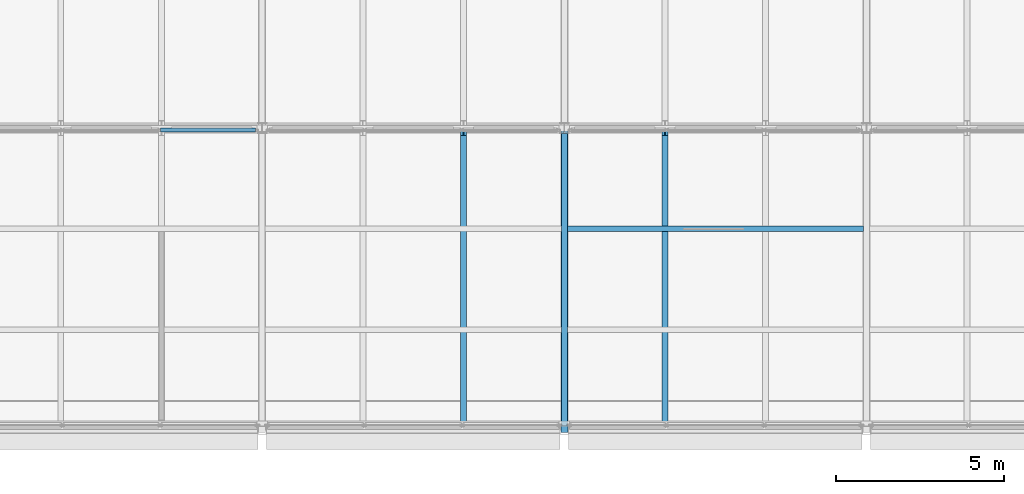
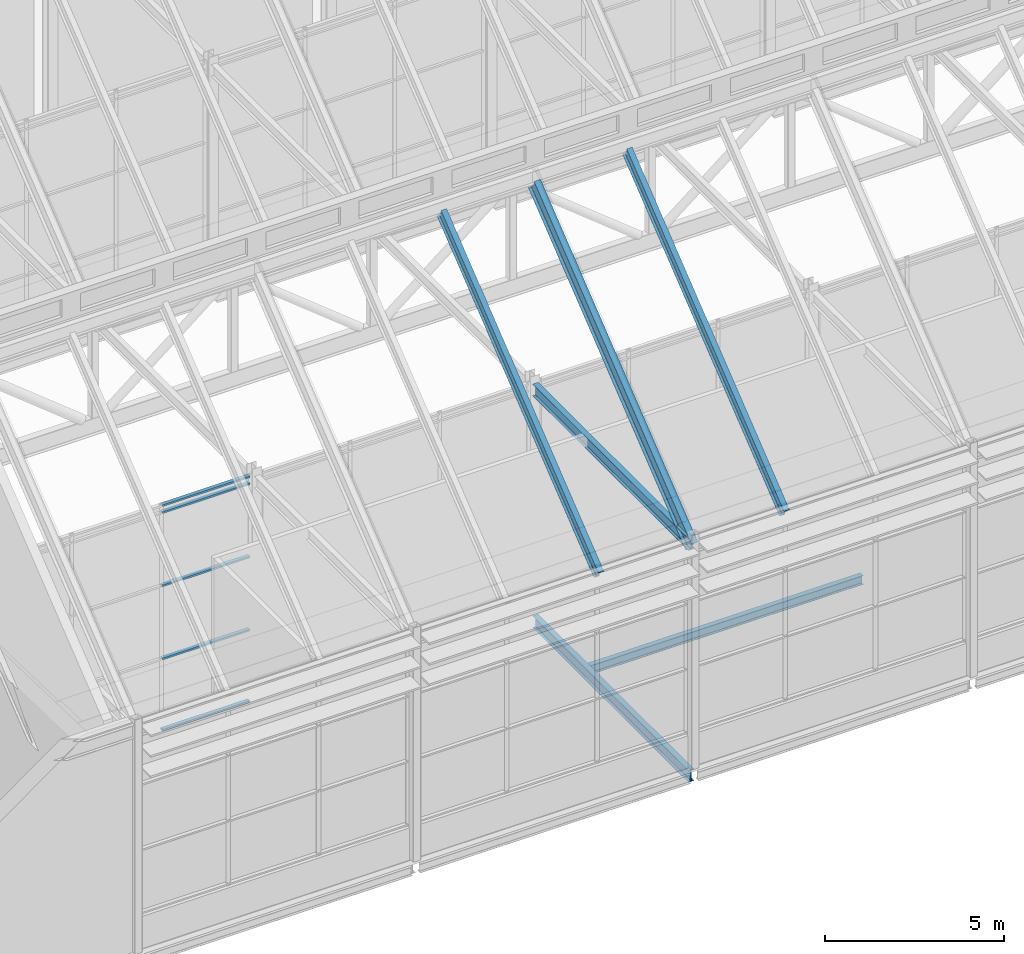
# One storey, part 28 of 144: 8 members, 3 beams, 1 element without a shape of its own.
"""IFC4 building model written with IfcOpenShell, lengths in metres."""

from ifc_helpers import new_model, si_unit, direction, frame, origin, origin_2d, place, context, subcontext, project, spatial, hollow_rectangle, i_section, extrude, material, layer, layer_set, material_profile, profile_set, type_object, element, aggregate, save


model = new_model("IFC4")

# Units and contexts
model_context = context("Model", 3, precision=1e-05, world=origin(), true_north=direction((0.0, 1.0)))
body_context = subcontext(model_context, "Body", "Model", "MODEL_VIEW")
ifc_project = project(units=[si_unit("LENGTHUNIT", "METRE"), si_unit("AREAUNIT", "SQUARE_METRE"), si_unit("VOLUMEUNIT", "CUBIC_METRE"), si_unit("PLANEANGLEUNIT", "RADIAN"), si_unit("MASSUNIT", "GRAM", prefix="KILO")], contexts=[model_context])

# Site, building, storey
site_placement = place(None, origin())
site = spatial("IfcSite", under=ifc_project, at=site_placement, CompositionType="ELEMENT")
building_placement = place(site_placement, origin())
building = spatial("IfcBuilding", under=site, at=building_placement, Name="Shorebreak Coast Museum", CompositionType="ELEMENT")
storey_placement = place(building_placement, frame((0.0, 0.0, 36.0)))
storey = spatial("IfcBuildingStorey", under=building, at=storey_placement, Name="L06", CompositionType="ELEMENT", Elevation=36.0)

# Beams
ifc_material_1 = material(Name="Steel Grade 300", Category="steel")
ifc_material_profile_1 = material_profile(ifc_material_1, i_section(OverallWidth=0.177978515625, OverallDepth=0.406494140625, WebThickness=0.0078125, FlangeThickness=0.0126953125, FilletRadius=0.011474609375, at=origin_2d()), Name="410UB59.7")
ifc_profile_set_1 = profile_set([ifc_material_profile_1], Name="Steel Grade 300")
beam_type_1 = type_object("IfcBeamType", Name="Floor girder north-south 410UB59.7", PredefinedType="BEAM", material=ifc_profile_set_1)
beam_1_placement = place(storey_placement, frame((81.0, 54.125, -0.378173828125), z_axis=(0.0, 1.0, 0.0), x_axis=(-1.0, 0.0, 0.0)))
element("IfcBeam", 1, at=beam_1_placement, inside=storey, type_object=beam_type_1, Name="Floor girder north-south L06 10G", PredefinedType="BEAM", context=body_context, shape_type="SweptSolid", body=[
    extrude(i_section(OverallWidth=0.177978515625, OverallDepth=0.406494140625, WebThickness=0.0078125, FlangeThickness=0.0126953125, FilletRadius=0.011474609375, at=origin_2d()), origin(), (0.0, 0.0, 1.0), 8.7177734375),
])
ifc_material_2 = material(Name="Steel Grade 300", Category="steel")
ifc_material_profile_2 = material_profile(ifc_material_2, i_section(OverallWidth=0.1650390625, OverallDepth=0.303955078125, WebThickness=0.006103515625, FlangeThickness=0.01025390625, FilletRadius=0.011474609375, at=origin_2d()), Name="310UB40.4")
ifc_profile_set_2 = profile_set([ifc_material_profile_2], Name="Steel Grade 300")
beam_type_2 = type_object("IfcBeamType", Name="Floor joist 310UB40.4", PredefinedType="JOIST", material=ifc_profile_set_2)
beam_2_placement = place(storey_placement, frame((81.089111328125, 60.0, -0.326904296875), z_axis=(1.0, 0.0, 0.0), x_axis=(0.0, 1.0, 0.0)))
element("IfcBeam", 2, at=beam_2_placement, inside=storey, type_object=beam_type_2, Name="Floor joist L06 bay 10G at 6000 mm", PredefinedType="JOIST", context=body_context, shape_type="SweptSolid", body=[
    extrude(i_section(OverallWidth=0.1650390625, OverallDepth=0.303955078125, WebThickness=0.006103515625, FlangeThickness=0.01025390625, FilletRadius=0.011474609375, at=origin_2d()), origin(), (0.0, 0.0, 1.0), 8.82177734375),
])

# Members
ifc_material_3 = material(Name="Steel Grade 300", Category="steel")
ifc_material_profile_3 = material_profile(ifc_material_3, i_section(OverallWidth=0.177978515625, OverallDepth=0.402587890625, WebThickness=0.007568359375, FlangeThickness=0.010986328125, FilletRadius=0.011474609375, at=origin_2d()), Name="410UB53.7")
ifc_profile_set_3 = profile_set([ifc_material_profile_3], Name="Steel Grade 300")
member_type_1 = type_object("IfcMemberType", Name="Fold rafter 410UB53.7", PredefinedType="RAFTER", material=ifc_profile_set_3)
for number, where, z_axis, x_axis, name in (
    (3, (78.0, 62.905029296875, 14.610107421875), (0.0, -0.780866698312, -0.624697686459), (1.0, 0.0, 0.0), "Fold rafter FOLD-X line 1 09"),
    (4, (84.0, 62.905029296875, 14.610107421875), (0.0, -0.780866698312, -0.624697686459), (1.0, 0.0, 0.0), "Fold rafter FOLD-X line 1 11"),
):
    element("IfcMember", number, at=place(storey_placement, frame(where, z_axis=z_axis, x_axis=x_axis)), inside=storey, type_object=member_type_1, Name=name, PredefinedType="RAFTER", context=body_context, shape_type="SweptSolid", body=[
        extrude(i_section(OverallWidth=0.177978515625, OverallDepth=0.402587890625, WebThickness=0.007568359375, FlangeThickness=0.010986328125, FilletRadius=0.011474609375, at=origin_2d()), origin(), (0.0, 0.0, 1.0), 11.282470703125),
    ])
ifc_material_4 = material(Name="Steel Grade 300", Category="steel")
ifc_material_profile_4 = material_profile(ifc_material_4, i_section(OverallWidth=0.208984375, OverallDepth=0.5283203125, WebThickness=0.009521484375, FlangeThickness=0.01318359375, FilletRadius=0.013916015625, at=origin_2d()), Name="530UB82.0")
ifc_profile_set_4 = profile_set([ifc_material_profile_4], Name="Steel Grade 300")
member_type_2 = type_object("IfcMemberType", Name="Fold rib rafter 530UB82.0", PredefinedType="RAFTER", material=ifc_profile_set_4)
member_1_placement = place(storey_placement, frame((81.0, 62.905029296875, 14.52978515625), z_axis=(0.0, -0.780866698312, -0.624697686459), x_axis=(1.0, 0.0, 0.0)))
element("IfcMember", 5, at=member_1_placement, inside=storey, type_object=member_type_2, Name="Fold rib rafter FOLD-X line 1 10", PredefinedType="RAFTER", context=body_context, shape_type="SweptSolid", body=[
    extrude(i_section(OverallWidth=0.208984375, OverallDepth=0.5283203125, WebThickness=0.009521484375, FlangeThickness=0.01318359375, FilletRadius=0.013916015625, at=origin_2d()), origin(), (0.0, 0.0, 1.0), 11.282470703125),
])

# Beam
ifc_material_5 = material(Name="Steel Grade 300", Category="steel")
ifc_material_profile_5 = material_profile(ifc_material_5, i_section(OverallWidth=0.177978515625, OverallDepth=0.402587890625, WebThickness=0.007568359375, FlangeThickness=0.010986328125, FilletRadius=0.011474609375, at=origin_2d()), Name="410UB53.7")
ifc_profile_set_5 = profile_set([ifc_material_profile_5], Name="Steel Grade 300")
beam_type_3 = type_object("IfcBeamType", Name="Fold rib tie 410UB53.7", PredefinedType="BEAM", material=ifc_profile_set_5)
beam_3_placement = place(storey_placement, frame((81.0, 54.125, 7.54248046875), z_axis=(0.0, 1.0, 0.0), x_axis=(-1.0, 0.0, 0.0)))
element("IfcBeam", 6, at=beam_3_placement, inside=storey, type_object=beam_type_3, Name="Fold rib tie FOLD-X rib 10 G-H", PredefinedType="BEAM", context=body_context, shape_type="SweptSolid", body=[
    extrude(i_section(OverallWidth=0.177978515625, OverallDepth=0.402587890625, WebThickness=0.007568359375, FlangeThickness=0.010986328125, FilletRadius=0.011474609375, at=origin_2d()), origin(), (0.0, 0.0, 1.0), 8.7177734375),
])

# Curtain wall, members
ifc_material_6 = material(Name="Aluminium", Category="aluminium")
ifc_layer = layer(ifc_material_6, 0.1201171875)
ifc_layer_set = layer_set([ifc_layer], Name="Aluminium")
curtain_wall_type = type_object("IfcCurtainWallType", Name="Atrium fire screen", PredefinedType="NOTDEFINED", material=ifc_layer_set)
curtain_wall_placement = place(storey_placement, origin())
curtain_wall = element("IfcCurtainWall", 7, at=curtain_wall_placement, inside=storey, type_object=curtain_wall_type, Name="Atrium screen L06 S 79", PredefinedType="NOTDEFINED")
ifc_material_7 = material(Name="Aluminium", Category="aluminium")
ifc_material_profile_6 = material_profile(ifc_material_7, hollow_rectangle(XDim=0.1201171875, YDim=0.06005859375, WallThickness=0.00341796875, at=origin_2d()), Name="AL 60x120 RHS")
ifc_profile_set_6 = profile_set([ifc_material_profile_6], Name="Aluminium")
member_type_3 = type_object("IfcMemberType", Name="Screen transom 120 x 50", PredefinedType="USERDEFINED", material=ifc_profile_set_6)
member_2_placement = place(storey_placement, frame((68.973876953125, 62.93994140625, 0.06005859375), z_axis=(1.0, 0.0, 0.0), x_axis=(0.0, 1.0, 0.0)))
member_2 = element("IfcMember", 8, at=member_2_placement, type_object=member_type_3, Name="CW5 transom 3.1", ObjectType="TRANSOM", PredefinedType="USERDEFINED", context=body_context, shape_type="SweptSolid", body=[
    extrude(hollow_rectangle(XDim=0.1201171875, YDim=0.06005859375, WallThickness=0.00341796875, at=origin_2d()), origin(), (0.0, 0.0, 1.0), 2.822509765625),
])
member_3_placement = place(storey_placement, frame((68.973876953125, 62.93994140625, 2.5), z_axis=(1.0, 0.0, 0.0), x_axis=(0.0, 1.0, 0.0)))
member_3 = element("IfcMember", 9, at=member_3_placement, type_object=member_type_3, Name="CW5 transom 3.2", ObjectType="TRANSOM", PredefinedType="USERDEFINED", context=body_context, shape_type="SweptSolid", body=[
    extrude(hollow_rectangle(XDim=0.1201171875, YDim=0.06005859375, WallThickness=0.00341796875, at=origin_2d()), origin(), (0.0, 0.0, 1.0), 2.822509765625),
])
member_4_placement = place(storey_placement, frame((68.973876953125, 62.93994140625, 5.0), z_axis=(1.0, 0.0, 0.0), x_axis=(0.0, 1.0, 0.0)))
member_4 = element("IfcMember", 10, at=member_4_placement, type_object=member_type_3, Name="CW5 transom 3.3", ObjectType="TRANSOM", PredefinedType="USERDEFINED", context=body_context, shape_type="SweptSolid", body=[
    extrude(hollow_rectangle(XDim=0.1201171875, YDim=0.06005859375, WallThickness=0.00341796875, at=origin_2d()), origin(), (0.0, 0.0, 1.0), 2.822509765625),
])
member_5_placement = place(storey_placement, frame((68.973876953125, 62.93994140625, 7.5), z_axis=(1.0, 0.0, 0.0), x_axis=(0.0, 1.0, 0.0)))
member_5 = element("IfcMember", 11, at=member_5_placement, type_object=member_type_3, Name="CW5 transom 3.4", ObjectType="TRANSOM", PredefinedType="USERDEFINED", context=body_context, shape_type="SweptSolid", body=[
    extrude(hollow_rectangle(XDim=0.1201171875, YDim=0.06005859375, WallThickness=0.00341796875, at=origin_2d()), origin(), (0.0, 0.0, 1.0), 2.822509765625),
])
member_6_placement = place(storey_placement, frame((68.973876953125, 62.93994140625, 7.739990234375), z_axis=(1.0, 0.0, 0.0), x_axis=(0.0, 1.0, 0.0)))
member_6 = element("IfcMember", 12, at=member_6_placement, type_object=member_type_3, Name="CW5 transom 3.5", ObjectType="TRANSOM", PredefinedType="USERDEFINED", context=body_context, shape_type="SweptSolid", body=[
    extrude(hollow_rectangle(XDim=0.1201171875, YDim=0.06005859375, WallThickness=0.00341796875, at=origin_2d()), origin(), (0.0, 0.0, 1.0), 2.822509765625),
])
aggregate(curtain_wall, [member_2, member_3, member_4, member_5, member_6])

save(model, "model.ifc")
